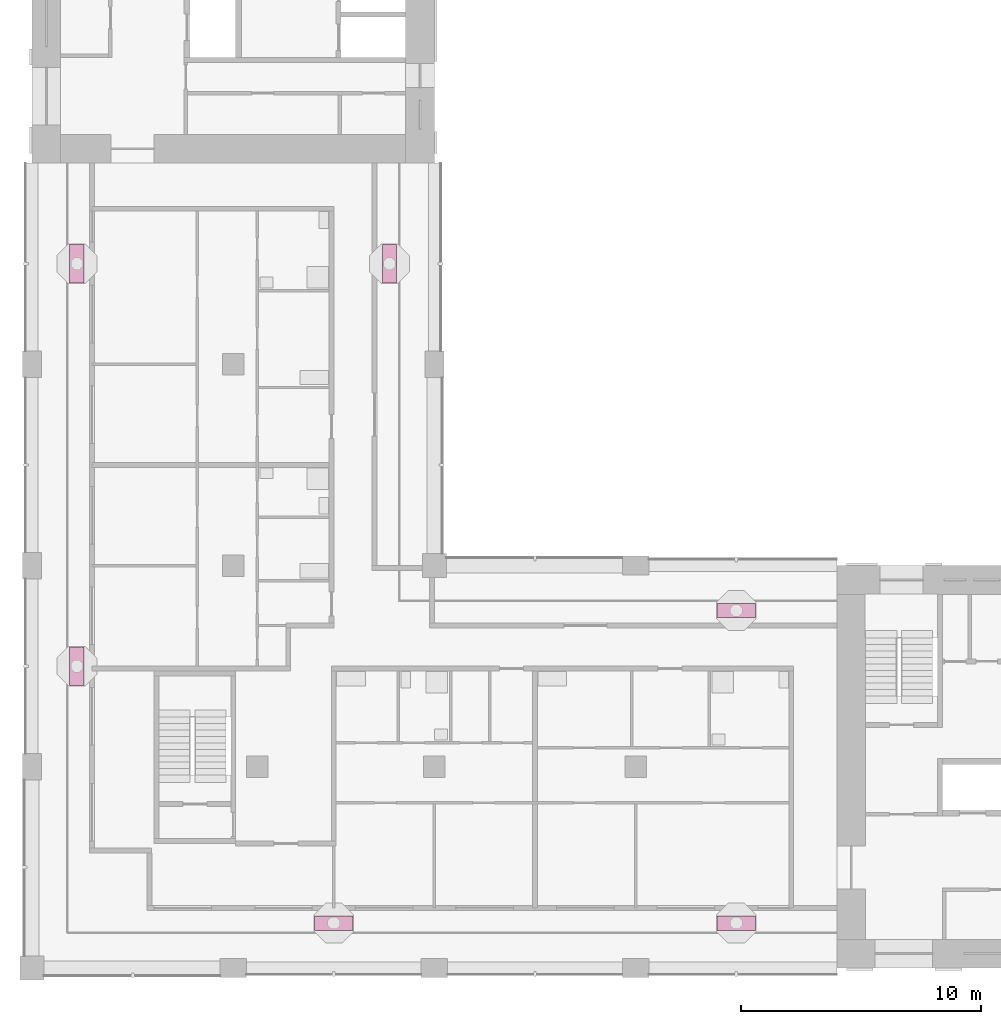
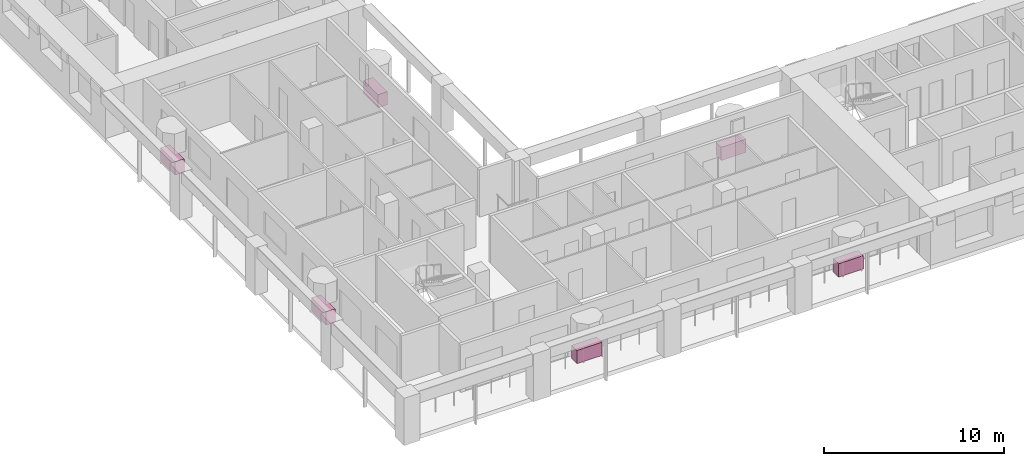
# One storey, part 11 of 12: 6 furniture elements.
"""IFC4 building model written with IfcOpenShell, lengths in metres."""

from ifc_helpers import new_model, si_unit, direction, frame, origin, origin_2d, place, context, subcontext, project, spatial, rectangle, extrude, material, element, save


model = new_model("IFC4")

# Units and contexts
model_context = context("Model", 3, precision=1e-05, world=origin(), true_north=direction((0.0, 1.0)))
body_context = subcontext(model_context, "Body", "Model", "MODEL_VIEW")
ifc_project = project(units=[si_unit("LENGTHUNIT", "METRE"), si_unit("AREAUNIT", "SQUARE_METRE"), si_unit("VOLUMEUNIT", "CUBIC_METRE"), si_unit("PLANEANGLEUNIT", "RADIAN"), si_unit("MASSUNIT", "GRAM", prefix="KILO")], contexts=[model_context])

# Site, building, storey
site_placement = place(None, origin())
site = spatial("IfcSite", under=ifc_project, at=site_placement, CompositionType="ELEMENT")
building_placement = place(site_placement, origin())
building = spatial("IfcBuilding", under=site, at=building_placement, Name="Vermilion Gate Residences", CompositionType="ELEMENT")
storey_placement = place(building_placement, frame((0.0, 0.0, 221.199951171875)))
storey = spatial("IfcBuildingStorey", under=building, at=storey_placement, Name="L57", CompositionType="ELEMENT", Elevation=221.199951171875)

# Furniture
ifc_material = material(Name="Terracotta planter", Category="masonry")
for number, where, z_axis, x_axis, name in (
    (1, (21.0, 10.27490234375, 0.0), (0.0, 0.0, 1.0), (1.0, 0.0, 0.0), "PLANTER"),
    (2, (37.800048828125, 10.27490234375, 0.0), (0.0, 0.0, 1.0), (1.0, 0.0, 0.0), "PLANTER"),
    (3, (37.800048828125, 23.324951171875, 0.0), (0.0, 0.0, 1.0), (-1.0, 0.0, 0.0), "PLANTER"),
    (4, (23.324951171875, 37.800048828125, 0.0), (0.0, 0.0, 1.0), (0.0, 1.0, 0.0), "PLANTER"),
    (5, (10.27490234375, 21.0, 0.0), (0.0, 0.0, 1.0), (0.0, -1.0, 0.0), "PLANTER"),
    (6, (10.27490234375, 37.800048828125, 0.0), (0.0, 0.0, 1.0), (0.0, -1.0, 0.0), "PLANTER"),
):
    element("IfcFurniture", number, at=place(storey_placement, frame(where, z_axis=z_axis, x_axis=x_axis)), inside=storey, material=ifc_material, Name=name, ObjectType="PLANTER", PredefinedType="USERDEFINED", context=body_context, shape_type="SweptSolid", body=[
        extrude(rectangle(XDim=1.60009765625, YDim=0.60009765625, at=origin_2d()), origin(), (0.0, 0.0, 1.0), 0.89990234375),
    ])

save(model, "model.ifc")
